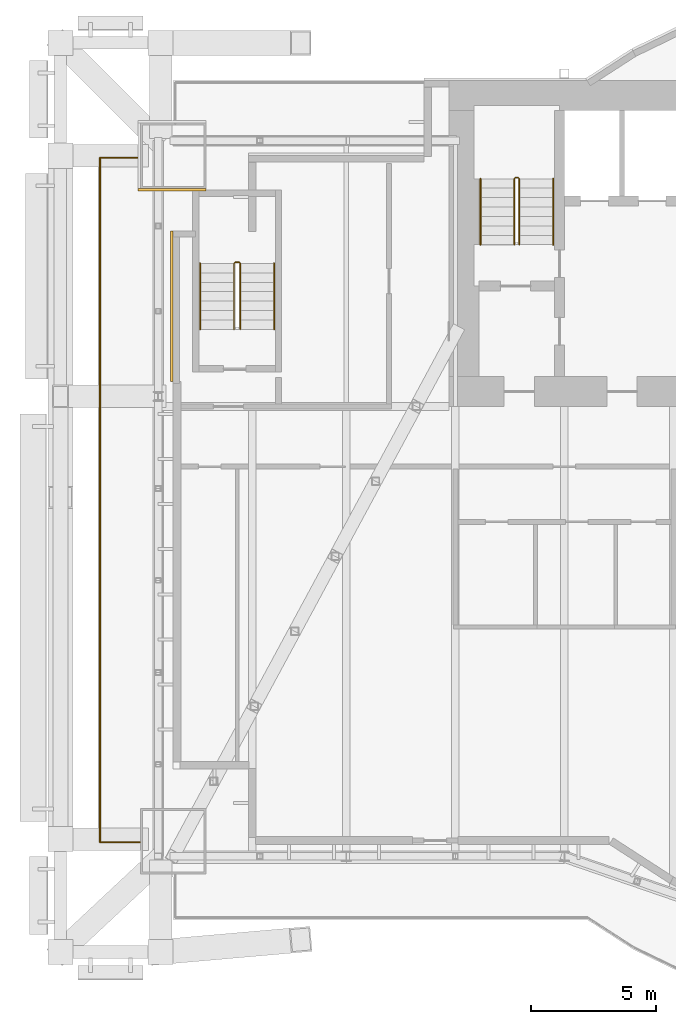
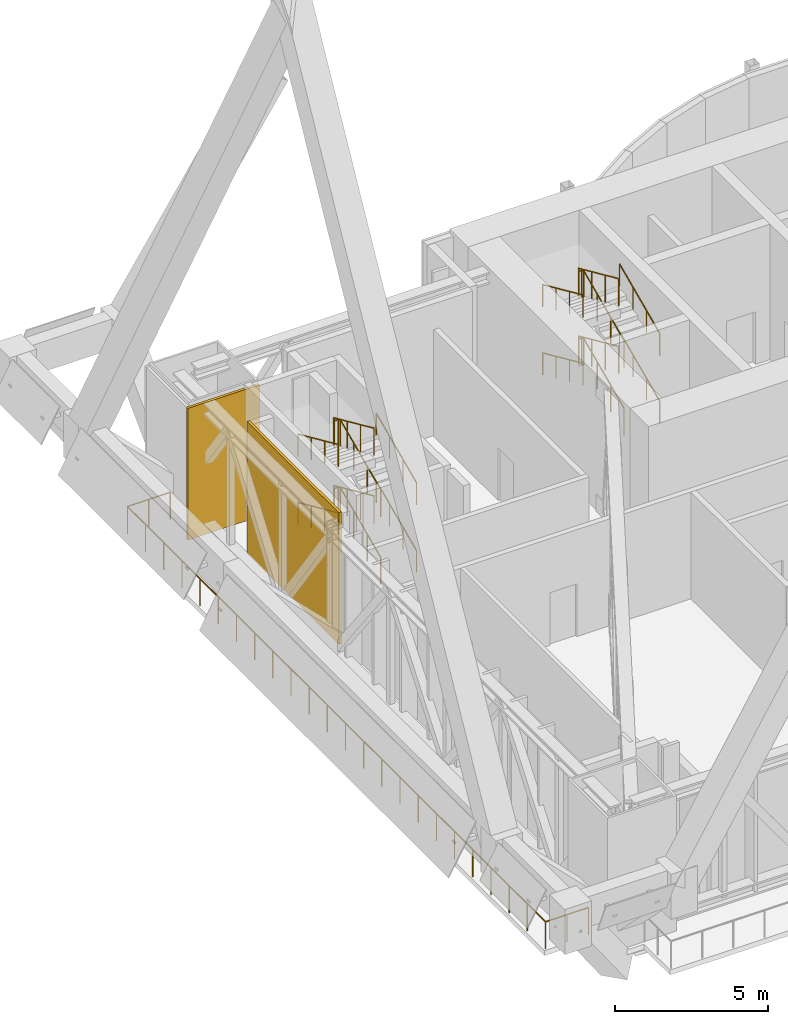
# One storey, part 28 of 30: 13 railings, 2 coverings.
"""IFC4 building model written with IfcOpenShell, lengths in metres."""

from ifc_helpers import new_model, si_unit, direction, frame, origin, origin_2d, place, context, subcontext, project, spatial, rectangle, circle, extrude, material, layer, layer_set, type_object, element, save


model = new_model("IFC4")

# Units and contexts
model_context = context("Model", 3, precision=1e-05, world=origin(), true_north=direction((0.0, 1.0)))
body_context = subcontext(model_context, "Body", "Model", "MODEL_VIEW")
ifc_project = project(units=[si_unit("LENGTHUNIT", "METRE"), si_unit("AREAUNIT", "SQUARE_METRE"), si_unit("VOLUMEUNIT", "CUBIC_METRE"), si_unit("PLANEANGLEUNIT", "RADIAN"), si_unit("MASSUNIT", "GRAM", prefix="KILO")], contexts=[model_context])

# Site, building, storey
site_placement = place(None, origin())
site = spatial("IfcSite", under=ifc_project, at=site_placement, CompositionType="ELEMENT")
building_placement = place(site_placement, origin())
building = spatial("IfcBuilding", under=site, at=building_placement, Name="Bicima Exchange Tower", CompositionType="ELEMENT")
storey_placement = place(building_placement, frame((0.0, 0.0, 185.5)))
storey = spatial("IfcBuildingStorey", under=building, at=storey_placement, Name="L41", CompositionType="ELEMENT", Elevation=185.5)

# Coverings
ifc_material_1 = material(Name="Bronze metal cladding")
ifc_layer_1 = layer(ifc_material_1, 0.004)
ifc_material_2 = material(Name="Ventilated cavity")
ifc_layer_2 = layer(ifc_material_2, 0.06)
ifc_material_3 = material(Name="Galvanised steel rail and mineral wool", Category="steel")
ifc_layer_3 = layer(ifc_material_3, 0.036)
ifc_layer_set = layer_set([ifc_layer_1, ifc_layer_2, ifc_layer_3], Name="Ventilated cavity")
covering_type = type_object("IfcCoveringType", Name="Bronze metal cladding panel 100", PredefinedType="CLADDING", material=ifc_layer_set)
covering_1_placement = place(storey_placement, frame((-33.050048828125, -9.0, 0.0), z_axis=(0.0, 0.0, 1.0), x_axis=(0.0, -1.0, 0.0)))
element("IfcCovering", 1, at=covering_1_placement, inside=storey, type_object=covering_type, Name="Bronze cladding L41 31.1", PredefinedType="CLADDING", context=body_context, shape_type="SweptSolid", body=[
    extrude(rectangle(XDim=6.0, YDim=0.10009765625, at=origin_2d()), origin(), (0.0, 0.0, 1.0), 5.25),
])
covering_2_placement = place(storey_placement, frame((-33.050048828125, -4.35009765625, 0.0), z_axis=(0.0, 0.0, 1.0), x_axis=(1.0, 0.0, 0.0)))
element("IfcCovering", 2, at=covering_2_placement, inside=storey, type_object=covering_type, Name="Column cladding L41 1S", PredefinedType="CLADDING", context=body_context, shape_type="SweptSolid", body=[
    extrude(rectangle(XDim=2.699951171875, YDim=0.10009765625, at=origin_2d()), origin(), (0.0, 0.0, 1.0), 5.25),
])

# Railings
ifc_material_4 = material(Name="Stainless steel", Category="steel")
railing_type_1 = type_object("IfcRailingType", Name="Stair guard 1100", PredefinedType="GUARDRAIL", material=ifc_material_4)
railing_1_placement = place(storey_placement, frame((-19.199951171875, -6.550048828125, 0.168701171875)))
element("IfcRailing", 3, at=railing_1_placement, inside=storey, type_object=railing_type_1, Name="L41 ST-W stair guard 1", PredefinedType="GUARDRAIL", context=body_context, shape_type="SweptSolid", body=[
    extrude(circle(Radius=0.02392578125, at=origin_2d()), frame((0.0, 0.0, 1.076171875), z_axis=(0.0, 0.912201722539, 0.409741403079), x_axis=(-1.0, 0.0, 0.0)), (0.0, 0.0, 1.0), 2.88330078125),
    extrude(circle(Radius=0.02392578125, at=origin_2d()), frame((0.0, 2.630126953125, 2.25732421875), z_axis=(-0.708833529934, 0.705375805398, 0.0), x_axis=(-0.705375805398, -0.708833529934, 0.0)), (0.0, 0.0, 1.0), 0.070556640625),
    extrude(circle(Radius=0.02392578125, at=origin_2d()), frame((-0.050048828125, 2.679931640625, 2.25732421875), z_axis=(-1.0, 0.0, 0.0), x_axis=(0.0, -1.0, 0.0)), (0.0, 0.0, 1.0), 0.10009765625),
    extrude(circle(Radius=0.02392578125, at=origin_2d()), frame((-0.150146484375, 2.679931640625, 2.25732421875), z_axis=(-0.272433089069, -0.272433089069, 0.922800316407), x_axis=(0.707106781187, -0.707106781187, 0.0)), (0.0, 0.0, 1.0), 0.182861328125),
    extrude(circle(Radius=0.02392578125, at=origin_2d()), frame((-0.199951171875, 2.630126953125, 2.42626953125), z_axis=(0.0, -0.912233369549, 0.409670940488), x_axis=(1.0, 0.0, 0.0)), (0.0, 0.0, 1.0), 2.883056640625),
    extrude(circle(Radius=0.02099609375, at=origin_2d()), origin(), (0.0, 0.0, 1.0), 1.052001953125),
    extrude(circle(Radius=0.02099609375, at=origin_2d()), frame((0.0, 0.876708984375, 0.393798828125)), (0.0, 0.0, 1.0), 1.052001953125),
    extrude(circle(Radius=0.02099609375, at=origin_2d()), frame((0.0, 1.75341796875, 0.78759765625)), (0.0, 0.0, 1.0), 1.052001953125),
    extrude(circle(Radius=0.02099609375, at=origin_2d()), frame((0.0, 2.630126953125, 1.181396484375)), (0.0, 0.0, 1.0), 1.052001953125),
    extrude(circle(Radius=0.02099609375, at=origin_2d()), frame((-0.050048828125, 2.679931640625, 1.181396484375)), (0.0, 0.0, 1.0), 1.052001953125),
    extrude(circle(Radius=0.02099609375, at=origin_2d()), frame((-0.150146484375, 2.679931640625, 1.181396484375)), (0.0, 0.0, 1.0), 1.052001953125),
    extrude(circle(Radius=0.02099609375, at=origin_2d()), frame((-0.199951171875, 2.630126953125, 1.35009765625)), (0.0, 0.0, 1.0), 1.052001953125),
    extrude(circle(Radius=0.02099609375, at=origin_2d()), frame((-0.199951171875, 1.75341796875, 1.743896484375)), (0.0, 0.0, 1.0), 1.052001953125),
    extrude(circle(Radius=0.02099609375, at=origin_2d()), frame((-0.199951171875, 0.876708984375, 2.137451171875)), (0.0, 0.0, 1.0), 1.052001953125),
    extrude(circle(Radius=0.02099609375, at=origin_2d()), frame((-0.199951171875, 0.0, 2.53125)), (0.0, 0.0, 1.0), 1.052001953125),
])
railing_2_placement = place(storey_placement, frame((-19.199951171875, -6.550048828125, 2.86865234375)))
element("IfcRailing", 4, at=railing_2_placement, inside=storey, type_object=railing_type_1, Name="L41 ST-W stair guard 2", PredefinedType="GUARDRAIL", context=body_context, shape_type="SweptSolid", body=[
    extrude(circle(Radius=0.02392578125, at=origin_2d()), frame((0.0, 0.0, 1.076171875), z_axis=(0.0, 0.912201722539, 0.409741403079), x_axis=(-1.0, 0.0, 0.0)), (0.0, 0.0, 1.0), 2.88330078125),
    extrude(circle(Radius=0.02392578125, at=origin_2d()), frame((0.0, 2.630126953125, 2.25732421875), z_axis=(-0.708833529934, 0.705375805398, 0.0), x_axis=(-0.705375805398, -0.708833529934, 0.0)), (0.0, 0.0, 1.0), 0.070556640625),
    extrude(circle(Radius=0.02392578125, at=origin_2d()), frame((-0.050048828125, 2.679931640625, 2.25732421875), z_axis=(-1.0, 0.0, 0.0), x_axis=(0.0, -1.0, 0.0)), (0.0, 0.0, 1.0), 0.10009765625),
    extrude(circle(Radius=0.02392578125, at=origin_2d()), frame((-0.150146484375, 2.679931640625, 2.25732421875), z_axis=(-0.272433089069, -0.272433089069, 0.922800316407), x_axis=(0.707106781187, -0.707106781187, 0.0)), (0.0, 0.0, 1.0), 0.182861328125),
    extrude(circle(Radius=0.02392578125, at=origin_2d()), frame((-0.199951171875, 2.630126953125, 2.42626953125), z_axis=(0.0, -0.912233369549, 0.409670940488), x_axis=(1.0, 0.0, 0.0)), (0.0, 0.0, 1.0), 2.883056640625),
    extrude(circle(Radius=0.02099609375, at=origin_2d()), origin(), (0.0, 0.0, 1.0), 1.052001953125),
    extrude(circle(Radius=0.02099609375, at=origin_2d()), frame((0.0, 0.876708984375, 0.393798828125)), (0.0, 0.0, 1.0), 1.052001953125),
    extrude(circle(Radius=0.02099609375, at=origin_2d()), frame((0.0, 1.75341796875, 0.78759765625)), (0.0, 0.0, 1.0), 1.052001953125),
    extrude(circle(Radius=0.02099609375, at=origin_2d()), frame((0.0, 2.630126953125, 1.181396484375)), (0.0, 0.0, 1.0), 1.052001953125),
    extrude(circle(Radius=0.02099609375, at=origin_2d()), frame((-0.050048828125, 2.679931640625, 1.181396484375)), (0.0, 0.0, 1.0), 1.052001953125),
    extrude(circle(Radius=0.02099609375, at=origin_2d()), frame((-0.150146484375, 2.679931640625, 1.181396484375)), (0.0, 0.0, 1.0), 1.052001953125),
    extrude(circle(Radius=0.02099609375, at=origin_2d()), frame((-0.199951171875, 2.630126953125, 1.35009765625)), (0.0, 0.0, 1.0), 1.052001953125),
    extrude(circle(Radius=0.02099609375, at=origin_2d()), frame((-0.199951171875, 1.75341796875, 1.743896484375)), (0.0, 0.0, 1.0), 1.052001953125),
    extrude(circle(Radius=0.02099609375, at=origin_2d()), frame((-0.199951171875, 0.876708984375, 2.137451171875)), (0.0, 0.0, 1.0), 1.052001953125),
    extrude(circle(Radius=0.02099609375, at=origin_2d()), frame((-0.199951171875, 0.0, 2.53125)), (0.0, 0.0, 1.0), 1.052001953125),
])
railing_3_placement = place(storey_placement, frame((-30.324951171875, -9.925048828125, 0.168701171875)))
element("IfcRailing", 5, at=railing_3_placement, inside=storey, type_object=railing_type_1, Name="L41 ST-WW stair guard 1", PredefinedType="GUARDRAIL", context=body_context, shape_type="SweptSolid", body=[
    extrude(circle(Radius=0.02392578125, at=origin_2d()), frame((0.0, 0.0, 1.076171875), z_axis=(0.0, 0.912201722539, 0.409741403079), x_axis=(-1.0, 0.0, 0.0)), (0.0, 0.0, 1.0), 2.88330078125),
    extrude(circle(Radius=0.02392578125, at=origin_2d()), frame((0.0, 2.630126953125, 2.25732421875), z_axis=(-0.708833529934, 0.705375805398, 0.0), x_axis=(-0.705375805398, -0.708833529934, 0.0)), (0.0, 0.0, 1.0), 0.070556640625),
    extrude(circle(Radius=0.02392578125, at=origin_2d()), frame((-0.050048828125, 2.679931640625, 2.25732421875), z_axis=(-1.0, 0.0, 0.0), x_axis=(0.0, -1.0, 0.0)), (0.0, 0.0, 1.0), 0.14990234375),
    extrude(circle(Radius=0.02392578125, at=origin_2d()), frame((-0.199951171875, 2.679931640625, 2.25732421875), z_axis=(-0.273668752699, -0.272333783174, 0.922463942026), x_axis=(0.705375805398, -0.708833529934, 0.0)), (0.0, 0.0, 1.0), 0.182861328125),
    extrude(circle(Radius=0.02392578125, at=origin_2d()), frame((-0.25, 2.630126953125, 2.42626953125), z_axis=(0.0, -0.912233369549, 0.409670940488), x_axis=(1.0, 0.0, 0.0)), (0.0, 0.0, 1.0), 2.883056640625),
    extrude(circle(Radius=0.02099609375, at=origin_2d()), origin(), (0.0, 0.0, 1.0), 1.052001953125),
    extrude(circle(Radius=0.02099609375, at=origin_2d()), frame((0.0, 0.876708984375, 0.393798828125)), (0.0, 0.0, 1.0), 1.052001953125),
    extrude(circle(Radius=0.02099609375, at=origin_2d()), frame((0.0, 1.75341796875, 0.78759765625)), (0.0, 0.0, 1.0), 1.052001953125),
    extrude(circle(Radius=0.02099609375, at=origin_2d()), frame((0.0, 2.630126953125, 1.181396484375)), (0.0, 0.0, 1.0), 1.052001953125),
    extrude(circle(Radius=0.02099609375, at=origin_2d()), frame((-0.050048828125, 2.679931640625, 1.181396484375)), (0.0, 0.0, 1.0), 1.052001953125),
    extrude(circle(Radius=0.02099609375, at=origin_2d()), frame((-0.199951171875, 2.679931640625, 1.181396484375)), (0.0, 0.0, 1.0), 1.052001953125),
    extrude(circle(Radius=0.02099609375, at=origin_2d()), frame((-0.25, 2.630126953125, 1.35009765625)), (0.0, 0.0, 1.0), 1.052001953125),
    extrude(circle(Radius=0.02099609375, at=origin_2d()), frame((-0.25, 1.75341796875, 1.743896484375)), (0.0, 0.0, 1.0), 1.052001953125),
    extrude(circle(Radius=0.02099609375, at=origin_2d()), frame((-0.25, 0.876708984375, 2.137451171875)), (0.0, 0.0, 1.0), 1.052001953125),
    extrude(circle(Radius=0.02099609375, at=origin_2d()), frame((-0.25, 0.0, 2.53125)), (0.0, 0.0, 1.0), 1.052001953125),
])
railing_4_placement = place(storey_placement, frame((-30.324951171875, -9.925048828125, 2.86865234375)))
element("IfcRailing", 6, at=railing_4_placement, inside=storey, type_object=railing_type_1, Name="L41 ST-WW stair guard 2", PredefinedType="GUARDRAIL", context=body_context, shape_type="SweptSolid", body=[
    extrude(circle(Radius=0.02392578125, at=origin_2d()), frame((0.0, 0.0, 1.076171875), z_axis=(0.0, 0.912201722539, 0.409741403079), x_axis=(-1.0, 0.0, 0.0)), (0.0, 0.0, 1.0), 2.88330078125),
    extrude(circle(Radius=0.02392578125, at=origin_2d()), frame((0.0, 2.630126953125, 2.25732421875), z_axis=(-0.708833529934, 0.705375805398, 0.0), x_axis=(-0.705375805398, -0.708833529934, 0.0)), (0.0, 0.0, 1.0), 0.070556640625),
    extrude(circle(Radius=0.02392578125, at=origin_2d()), frame((-0.050048828125, 2.679931640625, 2.25732421875), z_axis=(-1.0, 0.0, 0.0), x_axis=(0.0, -1.0, 0.0)), (0.0, 0.0, 1.0), 0.14990234375),
    extrude(circle(Radius=0.02392578125, at=origin_2d()), frame((-0.199951171875, 2.679931640625, 2.25732421875), z_axis=(-0.273668752699, -0.272333783174, 0.922463942026), x_axis=(0.705375805398, -0.708833529934, 0.0)), (0.0, 0.0, 1.0), 0.182861328125),
    extrude(circle(Radius=0.02392578125, at=origin_2d()), frame((-0.25, 2.630126953125, 2.42626953125), z_axis=(0.0, -0.912233369549, 0.409670940488), x_axis=(1.0, 0.0, 0.0)), (0.0, 0.0, 1.0), 2.883056640625),
    extrude(circle(Radius=0.02099609375, at=origin_2d()), origin(), (0.0, 0.0, 1.0), 1.052001953125),
    extrude(circle(Radius=0.02099609375, at=origin_2d()), frame((0.0, 0.876708984375, 0.393798828125)), (0.0, 0.0, 1.0), 1.052001953125),
    extrude(circle(Radius=0.02099609375, at=origin_2d()), frame((0.0, 1.75341796875, 0.78759765625)), (0.0, 0.0, 1.0), 1.052001953125),
    extrude(circle(Radius=0.02099609375, at=origin_2d()), frame((0.0, 2.630126953125, 1.181396484375)), (0.0, 0.0, 1.0), 1.052001953125),
    extrude(circle(Radius=0.02099609375, at=origin_2d()), frame((-0.050048828125, 2.679931640625, 1.181396484375)), (0.0, 0.0, 1.0), 1.052001953125),
    extrude(circle(Radius=0.02099609375, at=origin_2d()), frame((-0.199951171875, 2.679931640625, 1.181396484375)), (0.0, 0.0, 1.0), 1.052001953125),
    extrude(circle(Radius=0.02099609375, at=origin_2d()), frame((-0.25, 2.630126953125, 1.35009765625)), (0.0, 0.0, 1.0), 1.052001953125),
    extrude(circle(Radius=0.02099609375, at=origin_2d()), frame((-0.25, 1.75341796875, 1.743896484375)), (0.0, 0.0, 1.0), 1.052001953125),
    extrude(circle(Radius=0.02099609375, at=origin_2d()), frame((-0.25, 0.876708984375, 2.137451171875)), (0.0, 0.0, 1.0), 1.052001953125),
    extrude(circle(Radius=0.02099609375, at=origin_2d()), frame((-0.25, 0.0, 2.53125)), (0.0, 0.0, 1.0), 1.052001953125),
])
railing_type_2 = type_object("IfcRailingType", Name="Stair handrail 900", PredefinedType="HANDRAIL", material=ifc_material_4)
railing_5_placement = place(storey_placement, frame((-17.85009765625, -6.550048828125, 0.168701171875)))
element("IfcRailing", 7, at=railing_5_placement, inside=storey, type_object=railing_type_2, Name="L41 ST-W stair handrail 1", PredefinedType="HANDRAIL", context=body_context, shape_type="SweptSolid", body=[
    extrude(circle(Radius=0.02392578125, at=origin_2d()), frame((0.0, 0.0, 0.8759765625), z_axis=(0.0, 0.912201722539, 0.409741403079), x_axis=(-1.0, 0.0, 0.0)), (0.0, 0.0, 1.0), 2.88330078125),
    extrude(circle(Radius=0.02099609375, at=origin_2d()), origin(), (0.0, 0.0, 1.0), 0.851806640625),
    extrude(circle(Radius=0.02099609375, at=origin_2d()), frame((0.0, 0.876708984375, 0.393798828125)), (0.0, 0.0, 1.0), 0.851806640625),
    extrude(circle(Radius=0.02099609375, at=origin_2d()), frame((0.0, 1.75341796875, 0.78759765625)), (0.0, 0.0, 1.0), 0.851806640625),
    extrude(circle(Radius=0.02099609375, at=origin_2d()), frame((0.0, 2.630126953125, 1.181396484375)), (0.0, 0.0, 1.0), 0.851806640625),
])
railing_6_placement = place(storey_placement, frame((-20.75, -3.919921875, 1.518798828125)))
element("IfcRailing", 8, at=railing_6_placement, inside=storey, type_object=railing_type_2, Name="L41 ST-W stair handrail 2", PredefinedType="HANDRAIL", context=body_context, shape_type="SweptSolid", body=[
    extrude(circle(Radius=0.02392578125, at=origin_2d()), frame((0.0, 0.0, 0.8759765625), z_axis=(0.0, -0.912233369549, 0.409670940488), x_axis=(1.0, 0.0, 0.0)), (0.0, 0.0, 1.0), 2.883056640625),
    extrude(circle(Radius=0.02099609375, at=origin_2d()), origin(), (0.0, 0.0, 1.0), 0.851806640625),
    extrude(circle(Radius=0.02099609375, at=origin_2d()), frame((0.0, -0.876708984375, 0.393798828125)), (0.0, 0.0, 1.0), 0.851806640625),
    extrude(circle(Radius=0.02099609375, at=origin_2d()), frame((0.0, -1.75341796875, 0.787353515625)), (0.0, 0.0, 1.0), 0.851806640625),
    extrude(circle(Radius=0.02099609375, at=origin_2d()), frame((0.0, -2.630126953125, 1.18115234375)), (0.0, 0.0, 1.0), 0.851806640625),
])
railing_7_placement = place(storey_placement, frame((-17.85009765625, -6.550048828125, 2.86865234375)))
element("IfcRailing", 9, at=railing_7_placement, inside=storey, type_object=railing_type_2, Name="L41 ST-W stair handrail 3", PredefinedType="HANDRAIL", context=body_context, shape_type="SweptSolid", body=[
    extrude(circle(Radius=0.02392578125, at=origin_2d()), frame((0.0, 0.0, 0.8759765625), z_axis=(0.0, 0.912201722539, 0.409741403079), x_axis=(-1.0, 0.0, 0.0)), (0.0, 0.0, 1.0), 2.88330078125),
    extrude(circle(Radius=0.02099609375, at=origin_2d()), origin(), (0.0, 0.0, 1.0), 0.851806640625),
    extrude(circle(Radius=0.02099609375, at=origin_2d()), frame((0.0, 0.876708984375, 0.393798828125)), (0.0, 0.0, 1.0), 0.851806640625),
    extrude(circle(Radius=0.02099609375, at=origin_2d()), frame((0.0, 1.75341796875, 0.78759765625)), (0.0, 0.0, 1.0), 0.851806640625),
    extrude(circle(Radius=0.02099609375, at=origin_2d()), frame((0.0, 2.630126953125, 1.181396484375)), (0.0, 0.0, 1.0), 0.851806640625),
])
railing_8_placement = place(storey_placement, frame((-20.75, -3.919921875, 4.241455078125)))
element("IfcRailing", 10, at=railing_8_placement, inside=storey, type_object=railing_type_2, Name="L41 ST-W stair handrail 4", PredefinedType="HANDRAIL", context=body_context, shape_type="SweptSolid", body=[
    extrude(circle(Radius=0.02392578125, at=origin_2d()), frame((0.0, 0.0, 0.8759765625), z_axis=(0.0, -0.912201722539, 0.409741403079), x_axis=(1.0, 0.0, 0.0)), (0.0, 0.0, 1.0), 2.88330078125),
    extrude(circle(Radius=0.02099609375, at=origin_2d()), origin(), (0.0, 0.0, 1.0), 0.851806640625),
    extrude(circle(Radius=0.02099609375, at=origin_2d()), frame((0.0, -0.876708984375, 0.393798828125)), (0.0, 0.0, 1.0), 0.851806640625),
    extrude(circle(Radius=0.02099609375, at=origin_2d()), frame((0.0, -1.75341796875, 0.78759765625)), (0.0, 0.0, 1.0), 0.851806640625),
    extrude(circle(Radius=0.02099609375, at=origin_2d()), frame((0.0, -2.630126953125, 1.181396484375)), (0.0, 0.0, 1.0), 0.851806640625),
])
railing_9_placement = place(storey_placement, frame((-28.97509765625, -9.925048828125, 0.168701171875)))
element("IfcRailing", 11, at=railing_9_placement, inside=storey, type_object=railing_type_2, Name="L41 ST-WW stair handrail 1", PredefinedType="HANDRAIL", context=body_context, shape_type="SweptSolid", body=[
    extrude(circle(Radius=0.02392578125, at=origin_2d()), frame((0.0, 0.0, 0.8759765625), z_axis=(0.0, 0.912201722539, 0.409741403079), x_axis=(-1.0, 0.0, 0.0)), (0.0, 0.0, 1.0), 2.88330078125),
    extrude(circle(Radius=0.02099609375, at=origin_2d()), origin(), (0.0, 0.0, 1.0), 0.851806640625),
    extrude(circle(Radius=0.02099609375, at=origin_2d()), frame((0.0, 0.876708984375, 0.393798828125)), (0.0, 0.0, 1.0), 0.851806640625),
    extrude(circle(Radius=0.02099609375, at=origin_2d()), frame((0.0, 1.75341796875, 0.78759765625)), (0.0, 0.0, 1.0), 0.851806640625),
    extrude(circle(Radius=0.02099609375, at=origin_2d()), frame((0.0, 2.630126953125, 1.181396484375)), (0.0, 0.0, 1.0), 0.851806640625),
])
railing_10_placement = place(storey_placement, frame((-31.925048828125, -7.294921875, 1.518798828125)))
element("IfcRailing", 12, at=railing_10_placement, inside=storey, type_object=railing_type_2, Name="L41 ST-WW stair handrail 2", PredefinedType="HANDRAIL", context=body_context, shape_type="SweptSolid", body=[
    extrude(circle(Radius=0.02392578125, at=origin_2d()), frame((0.0, 0.0, 0.8759765625), z_axis=(0.0, -0.912233369549, 0.409670940488), x_axis=(1.0, 0.0, 0.0)), (0.0, 0.0, 1.0), 2.883056640625),
    extrude(circle(Radius=0.02099609375, at=origin_2d()), origin(), (0.0, 0.0, 1.0), 0.851806640625),
    extrude(circle(Radius=0.02099609375, at=origin_2d()), frame((0.0, -0.876708984375, 0.393798828125)), (0.0, 0.0, 1.0), 0.851806640625),
    extrude(circle(Radius=0.02099609375, at=origin_2d()), frame((0.0, -1.75341796875, 0.787353515625)), (0.0, 0.0, 1.0), 0.851806640625),
    extrude(circle(Radius=0.02099609375, at=origin_2d()), frame((0.0, -2.630126953125, 1.18115234375)), (0.0, 0.0, 1.0), 0.851806640625),
])
railing_11_placement = place(storey_placement, frame((-28.97509765625, -9.925048828125, 2.86865234375)))
element("IfcRailing", 13, at=railing_11_placement, inside=storey, type_object=railing_type_2, Name="L41 ST-WW stair handrail 3", PredefinedType="HANDRAIL", context=body_context, shape_type="SweptSolid", body=[
    extrude(circle(Radius=0.02392578125, at=origin_2d()), frame((0.0, 0.0, 0.8759765625), z_axis=(0.0, 0.912201722539, 0.409741403079), x_axis=(-1.0, 0.0, 0.0)), (0.0, 0.0, 1.0), 2.88330078125),
    extrude(circle(Radius=0.02099609375, at=origin_2d()), origin(), (0.0, 0.0, 1.0), 0.851806640625),
    extrude(circle(Radius=0.02099609375, at=origin_2d()), frame((0.0, 0.876708984375, 0.393798828125)), (0.0, 0.0, 1.0), 0.851806640625),
    extrude(circle(Radius=0.02099609375, at=origin_2d()), frame((0.0, 1.75341796875, 0.78759765625)), (0.0, 0.0, 1.0), 0.851806640625),
    extrude(circle(Radius=0.02099609375, at=origin_2d()), frame((0.0, 2.630126953125, 1.181396484375)), (0.0, 0.0, 1.0), 0.851806640625),
])
railing_12_placement = place(storey_placement, frame((-31.925048828125, -7.294921875, 4.241455078125)))
element("IfcRailing", 14, at=railing_12_placement, inside=storey, type_object=railing_type_2, Name="L41 ST-WW stair handrail 4", PredefinedType="HANDRAIL", context=body_context, shape_type="SweptSolid", body=[
    extrude(circle(Radius=0.02392578125, at=origin_2d()), frame((0.0, 0.0, 0.8759765625), z_axis=(0.0, -0.912201722539, 0.409741403079), x_axis=(1.0, 0.0, 0.0)), (0.0, 0.0, 1.0), 2.88330078125),
    extrude(circle(Radius=0.02099609375, at=origin_2d()), origin(), (0.0, 0.0, 1.0), 0.851806640625),
    extrude(circle(Radius=0.02099609375, at=origin_2d()), frame((0.0, -0.876708984375, 0.393798828125)), (0.0, 0.0, 1.0), 0.851806640625),
    extrude(circle(Radius=0.02099609375, at=origin_2d()), frame((0.0, -1.75341796875, 0.78759765625)), (0.0, 0.0, 1.0), 0.851806640625),
    extrude(circle(Radius=0.02099609375, at=origin_2d()), frame((0.0, -2.630126953125, 1.181396484375)), (0.0, 0.0, 1.0), 0.851806640625),
])
ifc_material_5 = material(Name="Stainless steel and bonded safety glass", Category="steel")
railing_type_3 = type_object("IfcRailingType", Name="Terrace guard 1100", PredefinedType="GUARDRAIL", material=ifc_material_5)
railing_13_placement = place(storey_placement, frame((-34.300048828125, -30.3798828125, 0.0)))
element("IfcRailing", 15, at=railing_13_placement, inside=storey, type_object=railing_type_3, Name="Terrace guard L41 1", PredefinedType="GUARDRAIL", context=body_context, shape_type="SweptSolid", body=[
    extrude(circle(Radius=0.02392578125, at=origin_2d()), frame((0.0, 0.0, 1.076171875), z_axis=(-1.0, 0.0, 0.0), x_axis=(0.0, -1.0, 0.0)), (0.0, 0.0, 1.0), 1.619873046875),
    extrude(circle(Radius=0.02392578125, at=origin_2d()), frame((-1.619873046875, 0.0, 1.076171875), z_axis=(0.0, 1.0, 0.0), x_axis=(-1.0, 0.0, 0.0)), (0.0, 0.0, 1.0), 27.2998046875),
    extrude(circle(Radius=0.02392578125, at=origin_2d()), frame((-1.619873046875, 27.2998046875, 1.076171875), z_axis=(1.0, 0.0, 0.0), x_axis=(0.0, 1.0, 0.0)), (0.0, 0.0, 1.0), 1.619873046875),
    extrude(circle(Radius=0.02099609375, at=origin_2d()), origin(), (0.0, 0.0, 1.0), 1.052001953125),
    extrude(circle(Radius=0.02099609375, at=origin_2d()), frame((-0.81005859375, 0.0, 0.0)), (0.0, 0.0, 1.0), 1.052001953125),
    extrude(circle(Radius=0.02099609375, at=origin_2d()), frame((-1.619873046875, 0.0, 0.0)), (0.0, 0.0, 1.0), 1.052001953125),
    extrude(circle(Radius=0.02099609375, at=origin_2d()), frame((-1.619873046875, 1.18701171875, 0.0)), (0.0, 0.0, 1.0), 1.052001953125),
    extrude(circle(Radius=0.02099609375, at=origin_2d()), frame((-1.619873046875, 2.373779296875, 0.0)), (0.0, 0.0, 1.0), 1.052001953125),
    extrude(circle(Radius=0.02099609375, at=origin_2d()), frame((-1.619873046875, 3.560791015625, 0.0)), (0.0, 0.0, 1.0), 1.052001953125),
    extrude(circle(Radius=0.02099609375, at=origin_2d()), frame((-1.619873046875, 4.747802734375, 0.0)), (0.0, 0.0, 1.0), 1.052001953125),
    extrude(circle(Radius=0.02099609375, at=origin_2d()), frame((-1.619873046875, 5.934814453125, 0.0)), (0.0, 0.0, 1.0), 1.052001953125),
    extrude(circle(Radius=0.02099609375, at=origin_2d()), frame((-1.619873046875, 7.12158203125, 0.0)), (0.0, 0.0, 1.0), 1.052001953125),
    extrude(circle(Radius=0.02099609375, at=origin_2d()), frame((-1.619873046875, 8.30859375, 0.0)), (0.0, 0.0, 1.0), 1.052001953125),
    extrude(circle(Radius=0.02099609375, at=origin_2d()), frame((-1.619873046875, 9.49560546875, 0.0)), (0.0, 0.0, 1.0), 1.052001953125),
    extrude(circle(Radius=0.02099609375, at=origin_2d()), frame((-1.619873046875, 10.6826171875, 0.0)), (0.0, 0.0, 1.0), 1.052001953125),
    extrude(circle(Radius=0.02099609375, at=origin_2d()), frame((-1.619873046875, 11.869384765625, 0.0)), (0.0, 0.0, 1.0), 1.052001953125),
    extrude(circle(Radius=0.02099609375, at=origin_2d()), frame((-1.619873046875, 13.056396484375, 0.0)), (0.0, 0.0, 1.0), 1.052001953125),
    extrude(circle(Radius=0.02099609375, at=origin_2d()), frame((-1.619873046875, 14.243408203125, 0.0)), (0.0, 0.0, 1.0), 1.052001953125),
    extrude(circle(Radius=0.02099609375, at=origin_2d()), frame((-1.619873046875, 15.430419921875, 0.0)), (0.0, 0.0, 1.0), 1.052001953125),
    extrude(circle(Radius=0.02099609375, at=origin_2d()), frame((-1.619873046875, 16.6171875, 0.0)), (0.0, 0.0, 1.0), 1.052001953125),
    extrude(circle(Radius=0.02099609375, at=origin_2d()), frame((-1.619873046875, 17.80419921875, 0.0)), (0.0, 0.0, 1.0), 1.052001953125),
    extrude(circle(Radius=0.02099609375, at=origin_2d()), frame((-1.619873046875, 18.9912109375, 0.0)), (0.0, 0.0, 1.0), 1.052001953125),
    extrude(circle(Radius=0.02099609375, at=origin_2d()), frame((-1.619873046875, 20.17822265625, 0.0)), (0.0, 0.0, 1.0), 1.052001953125),
    extrude(circle(Radius=0.02099609375, at=origin_2d()), frame((-1.619873046875, 21.364990234375, 0.0)), (0.0, 0.0, 1.0), 1.052001953125),
    extrude(circle(Radius=0.02099609375, at=origin_2d()), frame((-1.619873046875, 22.552001953125, 0.0)), (0.0, 0.0, 1.0), 1.052001953125),
    extrude(circle(Radius=0.02099609375, at=origin_2d()), frame((-1.619873046875, 23.739013671875, 0.0)), (0.0, 0.0, 1.0), 1.052001953125),
    extrude(circle(Radius=0.02099609375, at=origin_2d()), frame((-1.619873046875, 24.926025390625, 0.0)), (0.0, 0.0, 1.0), 1.052001953125),
    extrude(circle(Radius=0.02099609375, at=origin_2d()), frame((-1.619873046875, 26.11279296875, 0.0)), (0.0, 0.0, 1.0), 1.052001953125),
    extrude(circle(Radius=0.02099609375, at=origin_2d()), frame((-1.619873046875, 27.2998046875, 0.0)), (0.0, 0.0, 1.0), 1.052001953125),
    extrude(circle(Radius=0.02099609375, at=origin_2d()), frame((-0.81005859375, 27.2998046875, 0.0)), (0.0, 0.0, 1.0), 1.052001953125),
    extrude(circle(Radius=0.02099609375, at=origin_2d()), frame((0.0, 27.2998046875, 0.0)), (0.0, 0.0, 1.0), 1.052001953125),
])

save(model, "model.ifc")
